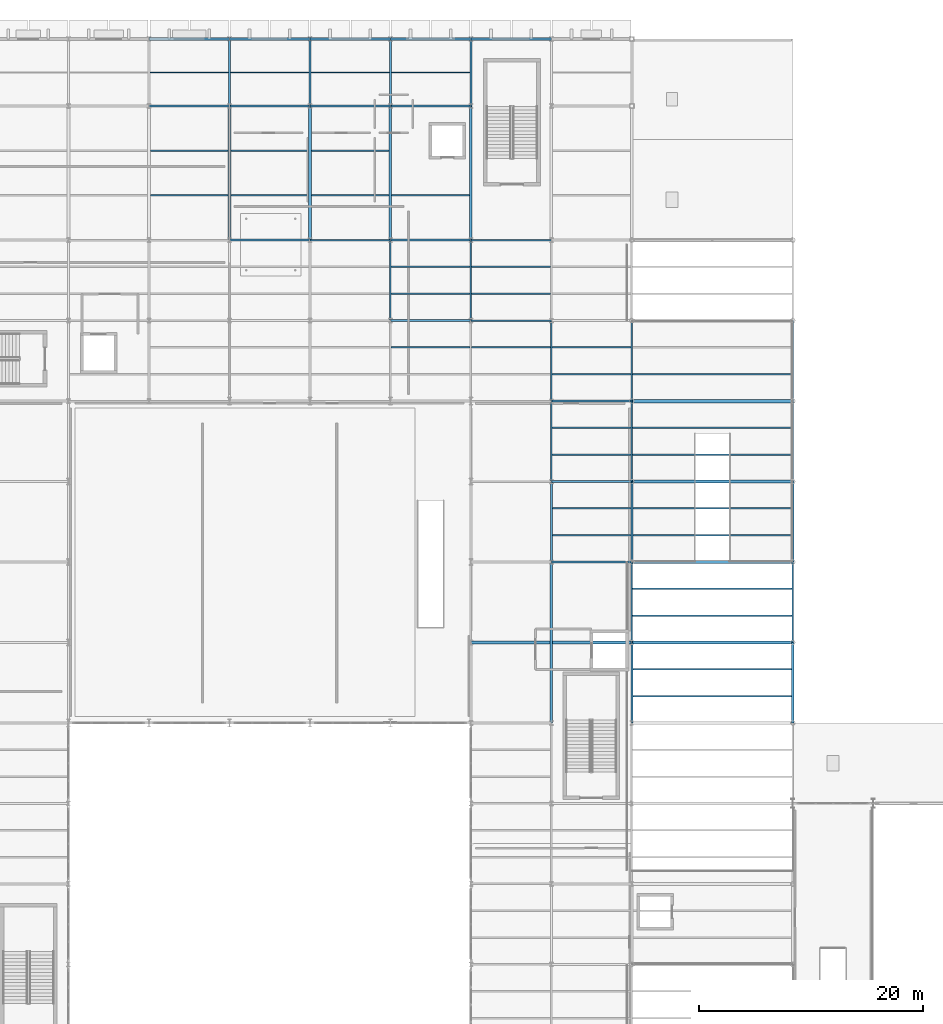
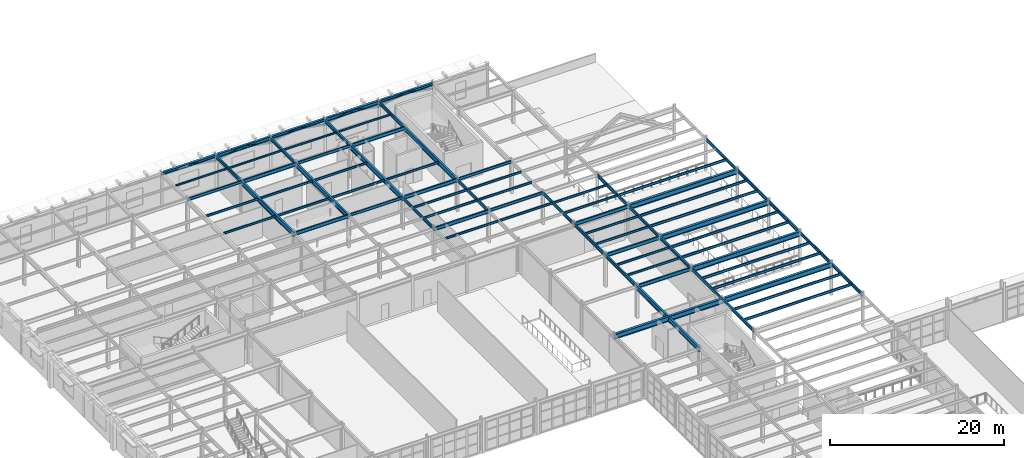
# One storey, part 57 of 126: 79 beams, 9 members.
"""IFC4 building model written with IfcOpenShell, lengths in metres."""

from ifc_helpers import new_model, si_unit, direction, frame, origin, origin_2d, place, context, subcontext, project, spatial, hollow_rectangle, i_section, extrude, material, material_profile, profile_set, type_object, element, save


model = new_model("IFC4")

# Units and contexts
model_context = context("Model", 3, precision=1e-05, world=origin(), true_north=direction((0.0, 1.0)))
body_context = subcontext(model_context, "Body", "Model", "MODEL_VIEW")
ifc_project = project(units=[si_unit("LENGTHUNIT", "METRE"), si_unit("AREAUNIT", "SQUARE_METRE"), si_unit("VOLUMEUNIT", "CUBIC_METRE"), si_unit("PLANEANGLEUNIT", "RADIAN"), si_unit("MASSUNIT", "GRAM", prefix="KILO")], contexts=[model_context])

# Site, building, storey
site_placement = place(None, origin())
site = spatial("IfcSite", under=ifc_project, at=site_placement, CompositionType="ELEMENT")
building_placement = place(site_placement, origin())
building = spatial("IfcBuilding", under=site, at=building_placement, Name="Solvadek Multi-Sports Hall", CompositionType="ELEMENT")
storey_placement = place(building_placement, frame((0.0, 0.0, 9.60009765625)))
storey = spatial("IfcBuildingStorey", under=building, at=storey_placement, Name="L02", CompositionType="ELEMENT", Elevation=9.60009765625)

# Members
ifc_material_1 = material(Name="Steel E350 (350 MPa)", Category="steel")
ifc_material_profile_1 = material_profile(ifc_material_1, hollow_rectangle(XDim=0.14990234375, YDim=0.25, WallThickness=0.010009765625, at=origin_2d()), Name="RHS 250x150x10")
ifc_profile_set_1 = profile_set([ifc_material_profile_1], Name="Steel E350 (350 MPa)")
member_type = type_object("IfcMemberType", Name="STR-ARC-RHS250", PredefinedType="USERDEFINED", material=ifc_profile_set_1)
for number, where, z_axis, x_axis, name in (
    (1, (32.39990234375, 110.39990234375, 4.31982421875), (0.983123357379, 0.0, -0.182943882588), (0.0, 1.0, 0.0), "L02 North Facade Pointed Ottoman Arch 5R"),
    (2, (36.0, 110.39990234375, 3.64990234375), (0.983123357379, 0.0, 0.182943882588), (0.0, 1.0, 0.0), "L02 North Facade Pointed Ottoman Arch 6L"),
):
    element("IfcMember", number, at=place(storey_placement, frame(where, z_axis=z_axis, x_axis=x_axis)), inside=storey, type_object=member_type, Name=name, ObjectType="ARCH_SEGMENT", PredefinedType="USERDEFINED", context=body_context, shape_type="SweptSolid", body=[
        extrude(hollow_rectangle(XDim=0.14990234375, YDim=0.25, WallThickness=0.010009765625, at=origin_2d()), origin(), (0.0, 0.0, 1.0), 3.661865234375),
    ])
member_1_placement = place(storey_placement, frame((39.60009765625, 110.39990234375, 4.31982421875), z_axis=(0.9831211258, 0.0, -0.182955874479), x_axis=(0.0, 1.0, 0.0)))
element("IfcMember", 3, at=member_1_placement, inside=storey, type_object=member_type, Name="L02 North Facade Pointed Ottoman Arch 6R", ObjectType="ARCH_SEGMENT", PredefinedType="USERDEFINED", context=body_context, shape_type="SweptSolid", body=[
    extrude(hollow_rectangle(XDim=0.14990234375, YDim=0.25, WallThickness=0.010009765625, at=origin_2d()), origin(), (0.0, 0.0, 1.0), 3.66162109375),
])
member_2_placement = place(storey_placement, frame((43.199951171875, 110.39990234375, 3.64990234375), z_axis=(0.983123357379, 0.0, 0.182943882588), x_axis=(0.0, 1.0, 0.0)))
element("IfcMember", 4, at=member_2_placement, inside=storey, type_object=member_type, Name="L02 North Facade Pointed Ottoman Arch 7L", ObjectType="ARCH_SEGMENT", PredefinedType="USERDEFINED", context=body_context, shape_type="SweptSolid", body=[
    extrude(hollow_rectangle(XDim=0.14990234375, YDim=0.25, WallThickness=0.010009765625, at=origin_2d()), origin(), (0.0, 0.0, 1.0), 3.661865234375),
])
member_3_placement = place(storey_placement, frame((46.800048828125, 110.39990234375, 4.31982421875), z_axis=(0.9831211258, 0.0, -0.182955874479), x_axis=(0.0, 1.0, 0.0)))
element("IfcMember", 5, at=member_3_placement, inside=storey, type_object=member_type, Name="L02 North Facade Pointed Ottoman Arch 7R", ObjectType="ARCH_SEGMENT", PredefinedType="USERDEFINED", context=body_context, shape_type="SweptSolid", body=[
    extrude(hollow_rectangle(XDim=0.14990234375, YDim=0.25, WallThickness=0.010009765625, at=origin_2d()), origin(), (0.0, 0.0, 1.0), 3.66162109375),
])
for number, where, z_axis, x_axis, name in (
    (6, (50.39990234375, 110.39990234375, 3.64990234375), (0.983123357379, 0.0, 0.182943882588), (0.0, 1.0, 0.0), "L02 North Facade Pointed Ottoman Arch 8L"),
    (7, (54.0, 110.39990234375, 4.31982421875), (0.983123357379, 0.0, -0.182943882588), (0.0, 1.0, 0.0), "L02 North Facade Pointed Ottoman Arch 8R"),
):
    element("IfcMember", number, at=place(storey_placement, frame(where, z_axis=z_axis, x_axis=x_axis)), inside=storey, type_object=member_type, Name=name, ObjectType="ARCH_SEGMENT", PredefinedType="USERDEFINED", context=body_context, shape_type="SweptSolid", body=[
        extrude(hollow_rectangle(XDim=0.14990234375, YDim=0.25, WallThickness=0.010009765625, at=origin_2d()), origin(), (0.0, 0.0, 1.0), 3.661865234375),
    ])
member_4_placement = place(storey_placement, frame((57.60009765625, 110.39990234375, 3.64990234375), z_axis=(0.9831211258, 0.0, 0.182955874479), x_axis=(0.0, 1.0, 0.0)))
element("IfcMember", 8, at=member_4_placement, inside=storey, type_object=member_type, Name="L02 North Facade Pointed Ottoman Arch 9L", ObjectType="ARCH_SEGMENT", PredefinedType="USERDEFINED", context=body_context, shape_type="SweptSolid", body=[
    extrude(hollow_rectangle(XDim=0.14990234375, YDim=0.25, WallThickness=0.010009765625, at=origin_2d()), origin(), (0.0, 0.0, 1.0), 3.66162109375),
])
member_5_placement = place(storey_placement, frame((61.199951171875, 110.39990234375, 4.31982421875), z_axis=(0.983123357379, 0.0, -0.182943882588), x_axis=(0.0, 1.0, 0.0)))
element("IfcMember", 9, at=member_5_placement, inside=storey, type_object=member_type, Name="L02 North Facade Pointed Ottoman Arch 9R", ObjectType="ARCH_SEGMENT", PredefinedType="USERDEFINED", context=body_context, shape_type="SweptSolid", body=[
    extrude(hollow_rectangle(XDim=0.14990234375, YDim=0.25, WallThickness=0.010009765625, at=origin_2d()), origin(), (0.0, 0.0, 1.0), 3.661865234375),
])

# Beams
ifc_material_profile_2 = material_profile(ifc_material_1, i_section(OverallWidth=0.139892578125, OverallDepth=0.39990234375, WebThickness=0.0087890625, FlangeThickness=0.01611328125, at=origin_2d()), Name="ISMB 400")
ifc_profile_set_2 = profile_set([ifc_material_profile_2], Name="Steel E350 (350 MPa)")
beam_type_1 = type_object("IfcBeamType", Name="STR-BM-ISMB400", PredefinedType="BEAM", material=ifc_profile_set_2)
for number, where, z_axis, x_axis, name in (
    (10, (57.60009765625, 85.199951171875, 4.35986328125), (1.0, 0.0, 0.0), (0.0, 1.0, 0.0), "L02 Girder B-10 #1414"),
    (11, (43.199951171875, 92.39990234375, 4.35986328125), (1.0, 0.0, 0.0), (0.0, 1.0, 0.0), "L02 Girder B-10 #1423"),
    (12, (57.60009765625, 92.39990234375, 4.35986328125), (1.0, 0.0, 0.0), (0.0, 1.0, 0.0), "L02 Girder B-10 #1425"),
    (13, (28.800048828125, 104.39990234375, 4.35986328125), (1.0, 0.0, 0.0), (0.0, 1.0, 0.0), "L02 Girder B-10 #1432"),
    (14, (43.199951171875, 104.39990234375, 4.35986328125), (1.0, 0.0, 0.0), (0.0, 1.0, 0.0), "L02 Girder B-10 #1434"),
):
    element("IfcBeam", number, at=place(storey_placement, frame(where, z_axis=z_axis, x_axis=x_axis)), inside=storey, type_object=beam_type_1, Name=name, PredefinedType="BEAM", context=body_context, shape_type="SweptSolid", body=[
        extrude(i_section(OverallWidth=0.139892578125, OverallDepth=0.39990234375, WebThickness=0.0087890625, FlangeThickness=0.01611328125, at=origin_2d()), origin(), (0.0, 0.0, 1.0), 7.199951171875),
    ])
ifc_material_profile_3 = material_profile(ifc_material_1, i_section(OverallWidth=0.14990234375, OverallDepth=0.449951171875, WebThickness=0.009521484375, FlangeThickness=0.017333984375, at=origin_2d()), Name="ISMB 450")
ifc_profile_set_3 = profile_set([ifc_material_profile_3], Name="Steel E350 (350 MPa)")
beam_type_2 = type_object("IfcBeamType", Name="STR-BM-ISMB450", PredefinedType="BEAM", material=ifc_profile_set_3)
for number, where, z_axis, x_axis, name in (
    (15, (50.39990234375, 85.199951171875, 4.3349609375), (0.0, 1.0, 0.0), (-1.0, 0.0, 0.0), "L02 Girder B-09 #1516"),
    (16, (57.60009765625, 85.199951171875, 4.3349609375), (0.0, 1.0, 0.0), (-1.0, 0.0, 0.0), "L02 Girder B-09 #1533"),
    (17, (64.800048828125, 70.800048828125, 4.3349609375), (0.0, 1.0, 0.0), (-1.0, 0.0, 0.0), "L02 Girder B-09 #1546"),
    (18, (64.800048828125, 78.0, 4.3349609375), (0.0, 1.0, 0.0), (-1.0, 0.0, 0.0), "L02 Girder B-09 #1547"),
):
    element("IfcBeam", number, at=place(storey_placement, frame(where, z_axis=z_axis, x_axis=x_axis)), inside=storey, type_object=beam_type_2, Name=name, PredefinedType="BEAM", context=body_context, shape_type="SweptSolid", body=[
        extrude(i_section(OverallWidth=0.14990234375, OverallDepth=0.449951171875, WebThickness=0.009521484375, FlangeThickness=0.017333984375, at=origin_2d()), origin(), (0.0, 0.0, 1.0), 7.199951171875),
    ])
beam_1_placement = place(storey_placement, frame((72.0, 56.39990234375, 4.3349609375), z_axis=(0.0, 1.0, 0.0), x_axis=(-1.0, 0.0, 0.0)))
element("IfcBeam", 19, at=beam_1_placement, inside=storey, type_object=beam_type_2, Name="L02 Girder B-09 #1565", PredefinedType="BEAM", context=body_context, shape_type="SweptSolid", body=[
    extrude(i_section(OverallWidth=0.14990234375, OverallDepth=0.449951171875, WebThickness=0.009521484375, FlangeThickness=0.017333984375, at=origin_2d()), origin(), (0.0, 0.0, 1.0), 7.2001953125),
])
for number, where, z_axis, x_axis, name in (
    (20, (72.0, 70.800048828125, 4.3349609375), (0.0, 1.0, 0.0), (-1.0, 0.0, 0.0), "L02 Girder B-09 #1567"),
    (21, (72.0, 78.0, 4.3349609375), (0.0, 1.0, 0.0), (-1.0, 0.0, 0.0), "L02 Girder B-09 #1568"),
):
    element("IfcBeam", number, at=place(storey_placement, frame(where, z_axis=z_axis, x_axis=x_axis)), inside=storey, type_object=beam_type_2, Name=name, PredefinedType="BEAM", context=body_context, shape_type="SweptSolid", body=[
        extrude(i_section(OverallWidth=0.14990234375, OverallDepth=0.449951171875, WebThickness=0.009521484375, FlangeThickness=0.017333984375, at=origin_2d()), origin(), (0.0, 0.0, 1.0), 7.199951171875),
    ])
beam_2_placement = place(storey_placement, frame((86.39990234375, 56.39990234375, 4.3349609375), z_axis=(0.0, 1.0, 0.0), x_axis=(-1.0, 0.0, 0.0)))
element("IfcBeam", 22, at=beam_2_placement, inside=storey, type_object=beam_type_2, Name="L02 Girder B-09 #1583", PredefinedType="BEAM", context=body_context, shape_type="SweptSolid", body=[
    extrude(i_section(OverallWidth=0.14990234375, OverallDepth=0.449951171875, WebThickness=0.009521484375, FlangeThickness=0.017333984375, at=origin_2d()), origin(), (0.0, 0.0, 1.0), 7.2001953125),
])
for number, where, z_axis, x_axis, name in (
    (23, (86.39990234375, 70.800048828125, 4.3349609375), (0.0, 1.0, 0.0), (-1.0, 0.0, 0.0), "L02 Girder B-09 #1585"),
    (24, (86.39990234375, 78.0, 4.3349609375), (0.0, 1.0, 0.0), (-1.0, 0.0, 0.0), "L02 Girder B-09 #1586"),
):
    element("IfcBeam", number, at=place(storey_placement, frame(where, z_axis=z_axis, x_axis=x_axis)), inside=storey, type_object=beam_type_2, Name=name, PredefinedType="BEAM", context=body_context, shape_type="SweptSolid", body=[
        extrude(i_section(OverallWidth=0.14990234375, OverallDepth=0.449951171875, WebThickness=0.009521484375, FlangeThickness=0.017333984375, at=origin_2d()), origin(), (0.0, 0.0, 1.0), 7.199951171875),
    ])
ifc_material_profile_4 = material_profile(ifc_material_1, i_section(OverallWidth=0.179931640625, OverallDepth=0.5, WebThickness=0.01025390625, FlangeThickness=0.01708984375, at=origin_2d()), Name="ISMB 500")
ifc_profile_set_4 = profile_set([ifc_material_profile_4], Name="Steel E350 (350 MPa)")
beam_type_3 = type_object("IfcBeamType", Name="STR-BM-ISMB500", PredefinedType="BEAM", material=ifc_profile_set_4)
for number, where, z_axis, x_axis, name in (
    (25, (64.800048828125, 63.60009765625, 4.309814453125), (1.0, 0.0, 0.0), (0.0, 1.0, 0.0), "L02 Girder B-07 #1383"),
    (26, (64.800048828125, 70.800048828125, 4.309814453125), (1.0, 0.0, 0.0), (0.0, 1.0, 0.0), "L02 Girder B-07 #1389"),
    (27, (64.800048828125, 78.0, 4.309814453125), (1.0, 0.0, 0.0), (0.0, 1.0, 0.0), "L02 Girder B-07 #1404"),
):
    element("IfcBeam", number, at=place(storey_placement, frame(where, z_axis=z_axis, x_axis=x_axis)), inside=storey, type_object=beam_type_3, Name=name, PredefinedType="BEAM", context=body_context, shape_type="SweptSolid", body=[
        extrude(i_section(OverallWidth=0.179931640625, OverallDepth=0.5, WebThickness=0.01025390625, FlangeThickness=0.01708984375, at=origin_2d()), origin(), (0.0, 0.0, 1.0), 7.199951171875),
    ])
beam_3_placement = place(storey_placement, frame((50.39990234375, 85.199951171875, 4.309814453125), z_axis=(1.0, 0.0, 0.0), x_axis=(0.0, 1.0, 0.0)))
element("IfcBeam", 28, at=beam_3_placement, inside=storey, type_object=beam_type_3, Name="L02 Girder B-07 #1413", PredefinedType="BEAM", context=body_context, shape_type="SweptSolid", body=[
    extrude(i_section(OverallWidth=0.179931640625, OverallDepth=0.5, WebThickness=0.01025390625, FlangeThickness=0.01708984375, at=origin_2d()), origin(), (0.0, 0.0, 1.0), 7.2001953125),
])
beam_4_placement = place(storey_placement, frame((36.0, 92.39990234375, 4.309814453125), z_axis=(1.0, 0.0, 0.0), x_axis=(0.0, 1.0, 0.0)))
element("IfcBeam", 29, at=beam_4_placement, inside=storey, type_object=beam_type_3, Name="L02 Girder B-07 #1422", PredefinedType="BEAM", context=body_context, shape_type="SweptSolid", body=[
    extrude(i_section(OverallWidth=0.179931640625, OverallDepth=0.5, WebThickness=0.01025390625, FlangeThickness=0.01708984375, at=origin_2d()), origin(), (0.0, 0.0, 1.0), 7.199951171875),
])
beam_5_placement = place(storey_placement, frame((50.39990234375, 92.39990234375, 4.309814453125), z_axis=(1.0, 0.0, 0.0), x_axis=(0.0, 1.0, 0.0)))
element("IfcBeam", 30, at=beam_5_placement, inside=storey, type_object=beam_type_3, Name="L02 Girder B-07 #1424", PredefinedType="BEAM", context=body_context, shape_type="SweptSolid", body=[
    extrude(i_section(OverallWidth=0.179931640625, OverallDepth=0.5, WebThickness=0.01025390625, FlangeThickness=0.01708984375, at=origin_2d()), origin(), (0.0, 0.0, 1.0), 7.2001953125),
])
beam_6_placement = place(storey_placement, frame((36.0, 104.39990234375, 4.309814453125), z_axis=(1.0, 0.0, 0.0), x_axis=(0.0, 1.0, 0.0)))
element("IfcBeam", 31, at=beam_6_placement, inside=storey, type_object=beam_type_3, Name="L02 Girder B-07 #1433", PredefinedType="BEAM", context=body_context, shape_type="SweptSolid", body=[
    extrude(i_section(OverallWidth=0.179931640625, OverallDepth=0.5, WebThickness=0.01025390625, FlangeThickness=0.01708984375, at=origin_2d()), origin(), (0.0, 0.0, 1.0), 7.199951171875),
])
beam_7_placement = place(storey_placement, frame((50.39990234375, 104.39990234375, 4.309814453125), z_axis=(1.0, 0.0, 0.0), x_axis=(0.0, 1.0, 0.0)))
element("IfcBeam", 32, at=beam_7_placement, inside=storey, type_object=beam_type_3, Name="L02 Girder B-07 #1435", PredefinedType="BEAM", context=body_context, shape_type="SweptSolid", body=[
    extrude(i_section(OverallWidth=0.179931640625, OverallDepth=0.5, WebThickness=0.01025390625, FlangeThickness=0.01708984375, at=origin_2d()), origin(), (0.0, 0.0, 1.0), 7.2001953125),
])
ifc_material_profile_5 = material_profile(ifc_material_1, i_section(OverallWidth=0.18994140625, OverallDepth=0.449951171875, WebThickness=0.009521484375, FlangeThickness=0.0146484375, at=origin_2d()), Name="NPB 450")
ifc_profile_set_5 = profile_set([ifc_material_profile_5], Name="Steel E350 (350 MPa)")
beam_type_4 = type_object("IfcBeamType", Name="STR-BM-NPB450", PredefinedType="BEAM", material=ifc_profile_set_5)
for number, where, z_axis, x_axis, name in (
    (33, (36.0, 104.39990234375, 4.3349609375), (0.0, 1.0, 0.0), (-1.0, 0.0, 0.0), "L02 Girder B-08 #1506"),
    (34, (43.199951171875, 104.39990234375, 4.3349609375), (0.0, 1.0, 0.0), (-1.0, 0.0, 0.0), "L02 Girder B-08 #1512"),
    (35, (50.39990234375, 104.39990234375, 4.3349609375), (0.0, 1.0, 0.0), (-1.0, 0.0, 0.0), "L02 Girder B-08 #1518"),
    (36, (57.60009765625, 104.39990234375, 4.3349609375), (0.0, 1.0, 0.0), (-1.0, 0.0, 0.0), "L02 Girder B-08 #1535"),
):
    element("IfcBeam", number, at=place(storey_placement, frame(where, z_axis=z_axis, x_axis=x_axis)), inside=storey, type_object=beam_type_4, Name=name, PredefinedType="BEAM", context=body_context, shape_type="SweptSolid", body=[
        extrude(i_section(OverallWidth=0.18994140625, OverallDepth=0.449951171875, WebThickness=0.009521484375, FlangeThickness=0.0146484375, at=origin_2d()), origin(), (0.0, 0.0, 1.0), 6.0),
    ])
for number, where, z_axis, x_axis, name in (
    (37, (64.800048828125, 63.60009765625, 4.3349609375), (0.0, 1.0, 0.0), (-1.0, 0.0, 0.0), "L02 Girder B-08 #1545"),
    (38, (72.0, 49.199951171875, 4.3349609375), (0.0, 1.0, 0.0), (-1.0, 0.0, 0.0), "L02 Girder B-08 #1564"),
    (39, (72.0, 63.60009765625, 4.3349609375), (0.0, 1.0, 0.0), (-1.0, 0.0, 0.0), "L02 Girder B-08 #1566"),
    (40, (86.39990234375, 49.199951171875, 4.3349609375), (0.0, 1.0, 0.0), (-1.0, 0.0, 0.0), "L02 Girder B-08 #1582"),
    (41, (86.39990234375, 63.60009765625, 4.3349609375), (0.0, 1.0, 0.0), (-1.0, 0.0, 0.0), "L02 Girder B-08 #1584"),
):
    element("IfcBeam", number, at=place(storey_placement, frame(where, z_axis=z_axis, x_axis=x_axis)), inside=storey, type_object=beam_type_4, Name=name, PredefinedType="BEAM", context=body_context, shape_type="SweptSolid", body=[
        extrude(i_section(OverallWidth=0.18994140625, OverallDepth=0.449951171875, WebThickness=0.009521484375, FlangeThickness=0.0146484375, at=origin_2d()), origin(), (0.0, 0.0, 1.0), 7.199951171875),
    ])
ifc_material_profile_6 = material_profile(ifc_material_1, i_section(OverallWidth=0.239990234375, OverallDepth=0.64990234375, WebThickness=0.0126953125, FlangeThickness=0.0205078125, at=origin_2d()), Name="NPB 650")
ifc_profile_set_6 = profile_set([ifc_material_profile_6], Name="Steel E350 (350 MPa)")
beam_type_5 = type_object("IfcBeamType", Name="STR-BM-NPB650", PredefinedType="BEAM", material=ifc_profile_set_6)
for number, where, z_axis, x_axis, name in (
    (42, (36.0, 92.39990234375, 4.23486328125), (0.0, 1.0, 0.0), (-1.0, 0.0, 0.0), "L02 Girder B-03 #1505"),
    (43, (43.199951171875, 92.39990234375, 4.23486328125), (0.0, 1.0, 0.0), (-1.0, 0.0, 0.0), "L02 Girder B-03 #1511"),
    (44, (50.39990234375, 92.39990234375, 4.23486328125), (0.0, 1.0, 0.0), (-1.0, 0.0, 0.0), "L02 Girder B-03 #1517"),
    (45, (57.60009765625, 92.39990234375, 4.23486328125), (0.0, 1.0, 0.0), (-1.0, 0.0, 0.0), "L02 Girder B-03 #1534"),
):
    element("IfcBeam", number, at=place(storey_placement, frame(where, z_axis=z_axis, x_axis=x_axis)), inside=storey, type_object=beam_type_5, Name=name, PredefinedType="BEAM", context=body_context, shape_type="SweptSolid", body=[
        extrude(i_section(OverallWidth=0.239990234375, OverallDepth=0.64990234375, WebThickness=0.0126953125, FlangeThickness=0.0205078125, at=origin_2d()), origin(), (0.0, 0.0, 1.0), 12.0),
    ])
beam_8_placement = place(storey_placement, frame((64.800048828125, 49.199951171875, 4.23486328125), z_axis=(0.0, 1.0, 0.0), x_axis=(-1.0, 0.0, 0.0)))
element("IfcBeam", 46, at=beam_8_placement, inside=storey, type_object=beam_type_5, Name="L02 Girder B-03 #1544", PredefinedType="BEAM", context=body_context, shape_type="SweptSolid", body=[
    extrude(i_section(OverallWidth=0.239990234375, OverallDepth=0.64990234375, WebThickness=0.0126953125, FlangeThickness=0.0205078125, at=origin_2d()), origin(), (0.0, 0.0, 1.0), 14.400146484375),
])
ifc_material_profile_7 = material_profile(ifc_material_1, i_section(OverallWidth=0.300048828125, OverallDepth=0.699951171875, WebThickness=0.01708984375, FlangeThickness=0.031982421875, at=origin_2d()), Name="WPB 700")
ifc_profile_set_7 = profile_set([ifc_material_profile_7], Name="Steel E350 (350 MPa)")
beam_type_6 = type_object("IfcBeamType", Name="STR-BM-WPB700", PredefinedType="BEAM", material=ifc_profile_set_7)
for number, where, z_axis, x_axis, name in (
    (47, (57.60009765625, 56.39990234375, 4.2099609375), (1.0, 0.0, 0.0), (0.0, 1.0, 0.0), "L02 Girder B-01 #1377"),
    (48, (72.0, 56.39990234375, 4.2099609375), (1.0, 0.0, 0.0), (0.0, 1.0, 0.0), "L02 Girder B-01 #1378"),
    (49, (72.0, 63.60009765625, 4.2099609375), (1.0, 0.0, 0.0), (0.0, 1.0, 0.0), "L02 Girder B-01 #1384"),
    (50, (72.0, 70.800048828125, 4.2099609375), (1.0, 0.0, 0.0), (0.0, 1.0, 0.0), "L02 Girder B-01 #1390"),
    (51, (72.0, 78.0, 4.2099609375), (1.0, 0.0, 0.0), (0.0, 1.0, 0.0), "L02 Girder B-01 #1405"),
):
    element("IfcBeam", number, at=place(storey_placement, frame(where, z_axis=z_axis, x_axis=x_axis)), inside=storey, type_object=beam_type_6, Name=name, PredefinedType="BEAM", context=body_context, shape_type="SweptSolid", body=[
        extrude(i_section(OverallWidth=0.300048828125, OverallDepth=0.699951171875, WebThickness=0.01708984375, FlangeThickness=0.031982421875, at=origin_2d()), origin(), (0.0, 0.0, 1.0), 14.39990234375),
    ])
ifc_material_2 = material(Name="Steel E250 (250 MPa)", Category="steel")
ifc_material_profile_8 = material_profile(ifc_material_2, i_section(OverallWidth=0.125, OverallDepth=0.25, WebThickness=0.0068359375, FlangeThickness=0.012451171875, at=origin_2d()), Name="ISMB 250")
ifc_profile_set_8 = profile_set([ifc_material_profile_8], Name="Steel E250 (250 MPa)")
beam_type_7 = type_object("IfcBeamType", Name="STR-JST-ISMB250", PredefinedType="JOIST", material=ifc_profile_set_8)
for number, where, z_axis, x_axis, name in (
    (52, (28.89501953125, 107.39990234375, 4.434814453125), (1.0, 0.0, 0.0), (0.0, 1.0, 0.0), "L02 Composite Joist J-04 #899"),
    (53, (36.094970703125, 107.39990234375, 4.434814453125), (1.0, 0.0, 0.0), (0.0, 1.0, 0.0), "L02 Composite Joist J-04 #900"),
    (54, (43.294921875, 107.39990234375, 4.434814453125), (1.0, 0.0, 0.0), (0.0, 1.0, 0.0), "L02 Composite Joist J-04 #901"),
):
    element("IfcBeam", number, at=place(storey_placement, frame(where, z_axis=z_axis, x_axis=x_axis)), inside=storey, type_object=beam_type_7, Name=name, PredefinedType="JOIST", context=body_context, shape_type="SweptSolid", body=[
        extrude(i_section(OverallWidth=0.125, OverallDepth=0.25, WebThickness=0.0068359375, FlangeThickness=0.012451171875, at=origin_2d()), origin(), (0.0, 0.0, 1.0), 7.010009765625),
    ])
beam_9_placement = place(storey_placement, frame((50.4951171875, 107.39990234375, 4.434814453125), z_axis=(1.0, 0.0, 0.0), x_axis=(0.0, 1.0, 0.0)))
element("IfcBeam", 55, at=beam_9_placement, inside=storey, type_object=beam_type_7, Name="L02 Composite Joist J-04 #902", PredefinedType="JOIST", context=body_context, shape_type="SweptSolid", body=[
    extrude(i_section(OverallWidth=0.125, OverallDepth=0.25, WebThickness=0.0068359375, FlangeThickness=0.012451171875, at=origin_2d()), origin(), (0.0, 0.0, 1.0), 7.009765625),
])
ifc_material_profile_9 = material_profile(ifc_material_1, i_section(OverallWidth=0.139892578125, OverallDepth=0.300048828125, WebThickness=0.0078125, FlangeThickness=0.01318359375, at=origin_2d()), Name="ISMB 300")
ifc_profile_set_9 = profile_set([ifc_material_profile_9], Name="Steel E350 (350 MPa)")
beam_type_8 = type_object("IfcBeamType", Name="STR-JST-ISMB300", PredefinedType="JOIST", material=ifc_profile_set_9)
for number, where, z_axis, x_axis, name in (
    (56, (64.89501953125, 66.0, 4.409912109375), (1.0, 0.0, 0.0), (0.0, 1.0, 0.0), "L02 Composite Joist J-03 #827"),
    (57, (64.89501953125, 68.39990234375, 4.409912109375), (1.0, 0.0, 0.0), (0.0, 1.0, 0.0), "L02 Composite Joist J-03 #828"),
):
    element("IfcBeam", number, at=place(storey_placement, frame(where, z_axis=z_axis, x_axis=x_axis)), inside=storey, type_object=beam_type_8, Name=name, PredefinedType="JOIST", context=body_context, shape_type="SweptSolid", body=[
        extrude(i_section(OverallWidth=0.139892578125, OverallDepth=0.300048828125, WebThickness=0.0078125, FlangeThickness=0.01318359375, at=origin_2d()), origin(), (0.0, 0.0, 1.0), 7.010009765625),
    ])
for number, where, z_axis, x_axis, name in (
    (58, (64.875, 73.199951171875, 4.409912109375), (1.0, 0.0, 0.0), (0.0, 1.0, 0.0), "L02 Composite Joist J-03 #835"),
    (59, (64.875, 75.60009765625, 4.409912109375), (1.0, 0.0, 0.0), (0.0, 1.0, 0.0), "L02 Composite Joist J-03 #836"),
):
    element("IfcBeam", number, at=place(storey_placement, frame(where, z_axis=z_axis, x_axis=x_axis)), inside=storey, type_object=beam_type_8, Name=name, PredefinedType="JOIST", context=body_context, shape_type="SweptSolid", body=[
        extrude(i_section(OverallWidth=0.139892578125, OverallDepth=0.300048828125, WebThickness=0.0078125, FlangeThickness=0.01318359375, at=origin_2d()), origin(), (0.0, 0.0, 1.0), 7.050048828125),
    ])
beam_10_placement = place(storey_placement, frame((50.47509765625, 82.800048828125, 4.409912109375), z_axis=(1.0, 0.0, 0.0), x_axis=(0.0, 1.0, 0.0)))
element("IfcBeam", 60, at=beam_10_placement, inside=storey, type_object=beam_type_8, Name="L02 Composite Joist J-03 #849", PredefinedType="JOIST", context=body_context, shape_type="SweptSolid", body=[
    extrude(i_section(OverallWidth=0.139892578125, OverallDepth=0.300048828125, WebThickness=0.0078125, FlangeThickness=0.01318359375, at=origin_2d()), origin(), (0.0, 0.0, 1.0), 7.0498046875),
])
for number, where, z_axis, x_axis, name in (
    (61, (57.675048828125, 82.800048828125, 4.409912109375), (1.0, 0.0, 0.0), (0.0, 1.0, 0.0), "L02 Composite Joist J-03 #851"),
    (62, (64.875, 80.39990234375, 4.409912109375), (1.0, 0.0, 0.0), (0.0, 1.0, 0.0), "L02 Composite Joist J-03 #852"),
    (63, (64.875, 82.800048828125, 4.409912109375), (1.0, 0.0, 0.0), (0.0, 1.0, 0.0), "L02 Composite Joist J-03 #853"),
):
    element("IfcBeam", number, at=place(storey_placement, frame(where, z_axis=z_axis, x_axis=x_axis)), inside=storey, type_object=beam_type_8, Name=name, PredefinedType="JOIST", context=body_context, shape_type="SweptSolid", body=[
        extrude(i_section(OverallWidth=0.139892578125, OverallDepth=0.300048828125, WebThickness=0.0078125, FlangeThickness=0.01318359375, at=origin_2d()), origin(), (0.0, 0.0, 1.0), 7.050048828125),
    ])
for number, where, z_axis, x_axis, name in (
    (64, (50.47509765625, 87.60009765625, 4.409912109375), (1.0, 0.0, 0.0), (0.0, 1.0, 0.0), "L02 Composite Joist J-03 #870"),
    (65, (50.47509765625, 90.0, 4.409912109375), (1.0, 0.0, 0.0), (0.0, 1.0, 0.0), "L02 Composite Joist J-03 #871"),
):
    element("IfcBeam", number, at=place(storey_placement, frame(where, z_axis=z_axis, x_axis=x_axis)), inside=storey, type_object=beam_type_8, Name=name, PredefinedType="JOIST", context=body_context, shape_type="SweptSolid", body=[
        extrude(i_section(OverallWidth=0.139892578125, OverallDepth=0.300048828125, WebThickness=0.0078125, FlangeThickness=0.01318359375, at=origin_2d()), origin(), (0.0, 0.0, 1.0), 7.0498046875),
    ])
for number, where, z_axis, x_axis, name in (
    (66, (57.675048828125, 87.60009765625, 4.409912109375), (1.0, 0.0, 0.0), (0.0, 1.0, 0.0), "L02 Composite Joist J-03 #872"),
    (67, (57.675048828125, 90.0, 4.409912109375), (1.0, 0.0, 0.0), (0.0, 1.0, 0.0), "L02 Composite Joist J-03 #873"),
):
    element("IfcBeam", number, at=place(storey_placement, frame(where, z_axis=z_axis, x_axis=x_axis)), inside=storey, type_object=beam_type_8, Name=name, PredefinedType="JOIST", context=body_context, shape_type="SweptSolid", body=[
        extrude(i_section(OverallWidth=0.139892578125, OverallDepth=0.300048828125, WebThickness=0.0078125, FlangeThickness=0.01318359375, at=origin_2d()), origin(), (0.0, 0.0, 1.0), 7.050048828125),
    ])
for number, where, z_axis, x_axis, name in (
    (68, (28.919921875, 96.39990234375, 4.409912109375), (1.0, 0.0, 0.0), (0.0, 1.0, 0.0), "L02 Composite Joist J-03 #886"),
    (69, (28.919921875, 100.39990234375, 4.409912109375), (1.0, 0.0, 0.0), (0.0, 1.0, 0.0), "L02 Composite Joist J-03 #887"),
    (70, (36.1201171875, 96.39990234375, 4.409912109375), (1.0, 0.0, 0.0), (0.0, 1.0, 0.0), "L02 Composite Joist J-03 #888"),
    (71, (36.1201171875, 100.39990234375, 4.409912109375), (1.0, 0.0, 0.0), (0.0, 1.0, 0.0), "L02 Composite Joist J-03 #889"),
    (72, (43.320068359375, 96.39990234375, 4.409912109375), (1.0, 0.0, 0.0), (0.0, 1.0, 0.0), "L02 Composite Joist J-03 #890"),
    (73, (43.320068359375, 100.39990234375, 4.409912109375), (1.0, 0.0, 0.0), (0.0, 1.0, 0.0), "L02 Composite Joist J-03 #891"),
    (74, (50.52001953125, 96.39990234375, 4.409912109375), (1.0, 0.0, 0.0), (0.0, 1.0, 0.0), "L02 Composite Joist J-03 #892"),
):
    element("IfcBeam", number, at=place(storey_placement, frame(where, z_axis=z_axis, x_axis=x_axis)), inside=storey, type_object=beam_type_8, Name=name, PredefinedType="JOIST", context=body_context, shape_type="SweptSolid", body=[
        extrude(i_section(OverallWidth=0.139892578125, OverallDepth=0.300048828125, WebThickness=0.0078125, FlangeThickness=0.01318359375, at=origin_2d()), origin(), (0.0, 0.0, 1.0), 6.9599609375),
    ])
ifc_material_profile_10 = material_profile(ifc_material_1, i_section(OverallWidth=0.139892578125, OverallDepth=0.35009765625, WebThickness=0.008056640625, FlangeThickness=0.01416015625, at=origin_2d()), Name="ISMB 350")
ifc_profile_set_10 = profile_set([ifc_material_profile_10], Name="Steel E350 (350 MPa)")
beam_type_9 = type_object("IfcBeamType", Name="STR-JST-ISMB350", PredefinedType="JOIST", material=ifc_profile_set_10)
for number, where, z_axis, x_axis, name in (
    (75, (72.094970703125, 51.60009765625, 4.385009765625), (1.0, 0.0, 0.0), (0.0, 1.0, 0.0), "L02 Composite Joist J-01 #817"),
    (76, (72.094970703125, 54.0, 4.385009765625), (1.0, 0.0, 0.0), (0.0, 1.0, 0.0), "L02 Composite Joist J-01 #818"),
):
    element("IfcBeam", number, at=place(storey_placement, frame(where, z_axis=z_axis, x_axis=x_axis)), inside=storey, type_object=beam_type_9, Name=name, PredefinedType="JOIST", context=body_context, shape_type="SweptSolid", body=[
        extrude(i_section(OverallWidth=0.139892578125, OverallDepth=0.35009765625, WebThickness=0.008056640625, FlangeThickness=0.01416015625, at=origin_2d()), origin(), (0.0, 0.0, 1.0), 14.2099609375),
    ])
for number, where, z_axis, x_axis, name in (
    (77, (72.074951171875, 58.800048828125, 4.385009765625), (1.0, 0.0, 0.0), (0.0, 1.0, 0.0), "L02 Composite Joist J-01 #821"),
    (78, (72.074951171875, 61.199951171875, 4.385009765625), (1.0, 0.0, 0.0), (0.0, 1.0, 0.0), "L02 Composite Joist J-01 #822"),
):
    element("IfcBeam", number, at=place(storey_placement, frame(where, z_axis=z_axis, x_axis=x_axis)), inside=storey, type_object=beam_type_9, Name=name, PredefinedType="JOIST", context=body_context, shape_type="SweptSolid", body=[
        extrude(i_section(OverallWidth=0.139892578125, OverallDepth=0.35009765625, WebThickness=0.008056640625, FlangeThickness=0.01416015625, at=origin_2d()), origin(), (0.0, 0.0, 1.0), 14.25),
    ])
for number, where, z_axis, x_axis, name in (
    (79, (72.094970703125, 66.0, 4.385009765625), (1.0, 0.0, 0.0), (0.0, 1.0, 0.0), "L02 Composite Joist J-01 #829"),
    (80, (72.094970703125, 68.39990234375, 4.385009765625), (1.0, 0.0, 0.0), (0.0, 1.0, 0.0), "L02 Composite Joist J-01 #830"),
):
    element("IfcBeam", number, at=place(storey_placement, frame(where, z_axis=z_axis, x_axis=x_axis)), inside=storey, type_object=beam_type_9, Name=name, PredefinedType="JOIST", context=body_context, shape_type="SweptSolid", body=[
        extrude(i_section(OverallWidth=0.139892578125, OverallDepth=0.35009765625, WebThickness=0.008056640625, FlangeThickness=0.01416015625, at=origin_2d()), origin(), (0.0, 0.0, 1.0), 14.2099609375),
    ])
for number, where, z_axis, x_axis, name in (
    (81, (72.074951171875, 73.199951171875, 4.385009765625), (1.0, 0.0, 0.0), (0.0, 1.0, 0.0), "L02 Composite Joist J-01 #837"),
    (82, (72.074951171875, 75.60009765625, 4.385009765625), (1.0, 0.0, 0.0), (0.0, 1.0, 0.0), "L02 Composite Joist J-01 #838"),
    (83, (72.074951171875, 80.39990234375, 4.385009765625), (1.0, 0.0, 0.0), (0.0, 1.0, 0.0), "L02 Composite Joist J-01 #854"),
):
    element("IfcBeam", number, at=place(storey_placement, frame(where, z_axis=z_axis, x_axis=x_axis)), inside=storey, type_object=beam_type_9, Name=name, PredefinedType="JOIST", context=body_context, shape_type="SweptSolid", body=[
        extrude(i_section(OverallWidth=0.139892578125, OverallDepth=0.35009765625, WebThickness=0.008056640625, FlangeThickness=0.01416015625, at=origin_2d()), origin(), (0.0, 0.0, 1.0), 14.25),
    ])
ifc_material_profile_11 = material_profile(ifc_material_1, i_section(OverallWidth=0.300048828125, OverallDepth=0.39990234375, WebThickness=0.013427734375, FlangeThickness=0.02392578125, at=origin_2d()), Name="WPB 400")
ifc_profile_set_11 = profile_set([ifc_material_profile_11], Name="Steel E350 (350 MPa)")
beam_type_10 = type_object("IfcBeamType", Name="STR-SPN-WPB400", PredefinedType="SPANDREL", material=ifc_profile_set_11)
for number, where, z_axis, x_axis, name in (
    (84, (28.800048828125, 110.39990234375, 4.35986328125), (1.0, 0.0, 0.0), (0.0, 1.0, 0.0), "L02 Girder SP-02 #1441"),
    (85, (43.199951171875, 110.39990234375, 4.35986328125), (1.0, 0.0, 0.0), (0.0, 1.0, 0.0), "L02 Girder SP-02 #1443"),
    (86, (57.60009765625, 110.39990234375, 4.35986328125), (1.0, 0.0, 0.0), (0.0, 1.0, 0.0), "L02 Girder SP-02 #1445"),
):
    element("IfcBeam", number, at=place(storey_placement, frame(where, z_axis=z_axis, x_axis=x_axis)), inside=storey, type_object=beam_type_10, Name=name, PredefinedType="SPANDREL", context=body_context, shape_type="SweptSolid", body=[
        extrude(i_section(OverallWidth=0.300048828125, OverallDepth=0.39990234375, WebThickness=0.013427734375, FlangeThickness=0.02392578125, at=origin_2d()), origin(), (0.0, 0.0, 1.0), 7.199951171875),
    ])
ifc_material_profile_12 = material_profile(ifc_material_1, i_section(OverallWidth=0.300048828125, OverallDepth=0.5, WebThickness=0.014404296875, FlangeThickness=0.028076171875, at=origin_2d()), Name="WPB 500")
ifc_profile_set_12 = profile_set([ifc_material_profile_12], Name="Steel E350 (350 MPa)")
beam_type_11 = type_object("IfcBeamType", Name="STR-SPN-WPB500", PredefinedType="SPANDREL", material=ifc_profile_set_12)
beam_11_placement = place(storey_placement, frame((36.0, 110.39990234375, 4.309814453125), z_axis=(1.0, 0.0, 0.0), x_axis=(0.0, 1.0, 0.0)))
element("IfcBeam", 87, at=beam_11_placement, inside=storey, type_object=beam_type_11, Name="L02 Girder SP-01 #1442", PredefinedType="SPANDREL", context=body_context, shape_type="SweptSolid", body=[
    extrude(i_section(OverallWidth=0.300048828125, OverallDepth=0.5, WebThickness=0.014404296875, FlangeThickness=0.028076171875, at=origin_2d()), origin(), (0.0, 0.0, 1.0), 7.199951171875),
])
beam_12_placement = place(storey_placement, frame((50.39990234375, 110.39990234375, 4.309814453125), z_axis=(1.0, 0.0, 0.0), x_axis=(0.0, 1.0, 0.0)))
element("IfcBeam", 88, at=beam_12_placement, inside=storey, type_object=beam_type_11, Name="L02 Girder SP-01 #1444", PredefinedType="SPANDREL", context=body_context, shape_type="SweptSolid", body=[
    extrude(i_section(OverallWidth=0.300048828125, OverallDepth=0.5, WebThickness=0.014404296875, FlangeThickness=0.028076171875, at=origin_2d()), origin(), (0.0, 0.0, 1.0), 7.2001953125),
])

save(model, "model.ifc")
